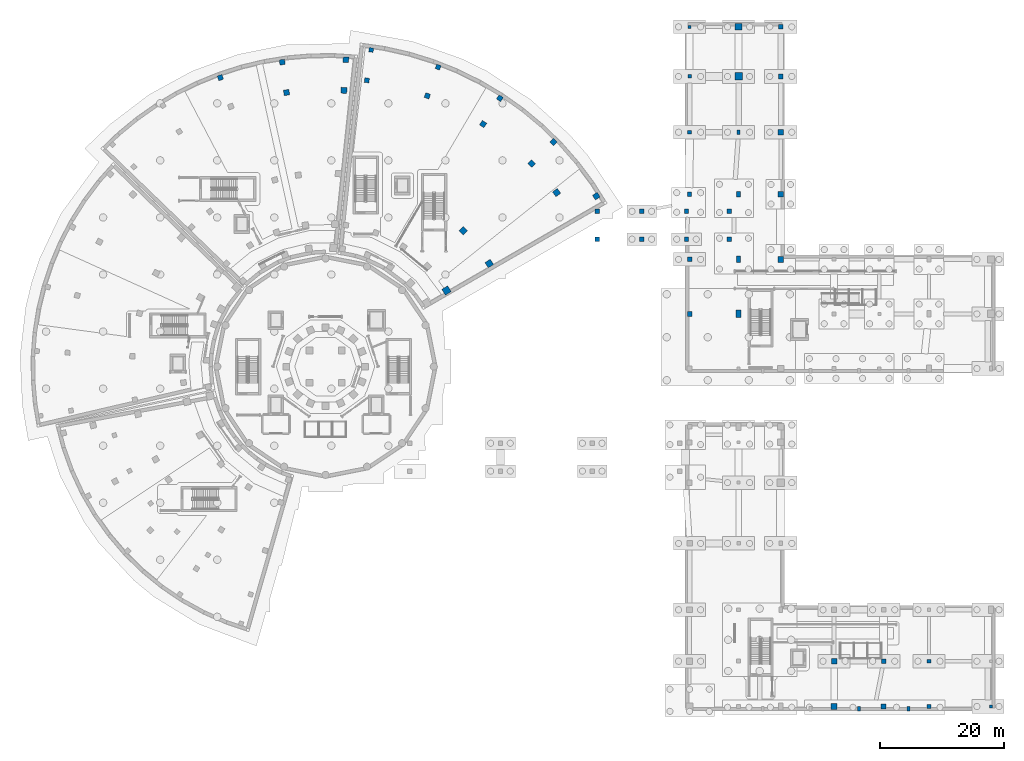
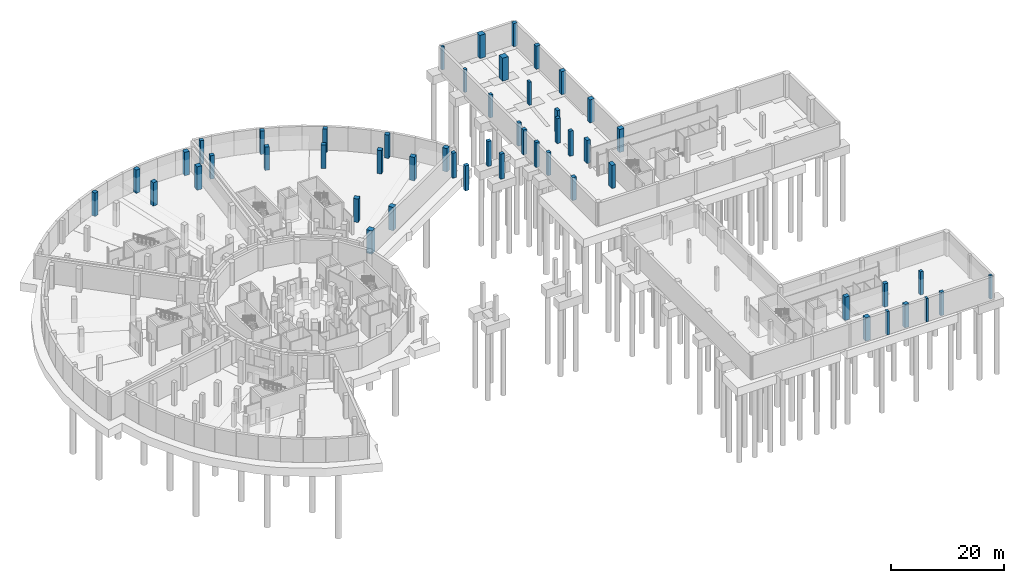
# One storey, part 5 of 33: 52 columns.
"""IFC4 building model written with IfcOpenShell, lengths in metres."""

from ifc_helpers import new_model, si_unit, direction, frame, origin, origin_2d, place, context, subcontext, project, spatial, rectangle, extrude, material, material_profile, profile_set, type_object, element, save


model = new_model("IFC4")

# Units and contexts
model_context = context("Model", 3, precision=1e-05, world=origin(), true_north=direction((0.0, 1.0)))
body_context = subcontext(model_context, "Body", "Model", "MODEL_VIEW")
ifc_project = project(units=[si_unit("LENGTHUNIT", "METRE"), si_unit("AREAUNIT", "SQUARE_METRE"), si_unit("VOLUMEUNIT", "CUBIC_METRE"), si_unit("PLANEANGLEUNIT", "RADIAN"), si_unit("MASSUNIT", "GRAM", prefix="KILO")], contexts=[model_context])

# Site, building, storey
site_placement = place(None, origin())
site = spatial("IfcSite", under=ifc_project, at=site_placement, CompositionType="ELEMENT")
building_placement = place(site_placement, origin())
building = spatial("IfcBuilding", under=site, at=building_placement, Name="Soyqirgoq Riverine Aquarium", CompositionType="ELEMENT")
storey_placement = place(building_placement, frame((0.0, 0.0, -5.39990234375)))
storey = spatial("IfcBuildingStorey", under=building, at=storey_placement, Name="B01", CompositionType="ELEMENT", Elevation=-5.39990234375)

# Columns
ifc_material_1 = material(Name="Concrete C40/50", Category="concrete")
ifc_material_profile_1 = material_profile(ifc_material_1, rectangle(XDim=1.0, YDim=1.0, at=origin_2d()), Name="RC 1000x1000")
ifc_profile_set_1 = profile_set([ifc_material_profile_1], Name="Concrete C40/50")
column_type_1 = type_object("IfcColumnType", Name="Col_RC_1000x1000", PredefinedType="COLUMN", material=ifc_profile_set_1)
column_1_placement = place(storey_placement, frame((82.401123046875, 73.625732421875, 0.0), z_axis=(0.0, 0.0, 1.0), x_axis=(0.846193166128, 0.532876276071, 0.0)))
element("IfcColumn", 1, at=column_1_placement, inside=storey, type_object=column_type_1, Name="V5 Column V5-CR3-01 B01", PredefinedType="COLUMN", context=body_context, shape_type="SweptSolid", body=[
    extrude(rectangle(XDim=1.0, YDim=1.0, at=origin_2d()), origin(), (0.0, 0.0, 1.0), 5.0498046875),
])
ifc_material_2 = material(Name="Waterproof concrete C45/55", Category="concrete")
ifc_material_profile_2 = material_profile(ifc_material_2, rectangle(XDim=1.10009765625, YDim=1.10009765625, at=origin_2d()), Name="RC 1100x1100")
ifc_profile_set_2 = profile_set([ifc_material_profile_2], Name="Waterproof concrete C45/55")
column_type_2 = type_object("IfcColumnType", Name="Col_RC_1100x1100", PredefinedType="COLUMN", material=ifc_profile_set_2)
column_2_placement = place(storey_placement, frame((75.5048828125, 69.28271484375, 0.0), z_axis=(0.0, 0.0, 1.0), x_axis=(0.846193166128, 0.532876276071, 0.0)))
element("IfcColumn", 2, at=column_2_placement, inside=storey, type_object=column_type_2, Name="V5 Column V5-CR2-01 B01", PredefinedType="COLUMN", context=body_context, shape_type="SweptSolid", body=[
    extrude(rectangle(XDim=1.10009765625, YDim=1.10009765625, at=origin_2d()), origin(), (0.0, 0.0, 1.0), 5.0498046875),
])
column_3_placement = place(storey_placement, frame((122.60009765625, 111.800048828125, 0.0), z_axis=(0.0, 0.0, 1.0), x_axis=(1.0, 0.0, 0.0)))
element("IfcColumn", 3, at=column_3_placement, inside=storey, type_object=column_type_2, Name="V7 Column V7-C-14 B01", PredefinedType="COLUMN", context=body_context, shape_type="SweptSolid", body=[
    extrude(rectangle(XDim=1.10009765625, YDim=1.10009765625, at=origin_2d()), origin(), (0.0, 0.0, 1.0), 4.97998046875),
])
ifc_material_3 = material(Name="Waterproof concrete C45/55", Category="concrete")
ifc_material_profile_3 = material_profile(ifc_material_3, rectangle(XDim=1.199951171875, YDim=1.199951171875, at=origin_2d()), Name="RC 1200x1200")
ifc_profile_set_3 = profile_set([ifc_material_profile_3], Name="Waterproof concrete C45/55")
column_type_3 = type_object("IfcColumnType", Name="Col_RC_1200x1200", PredefinedType="COLUMN", material=ifc_profile_set_3)
column_4_placement = place(storey_placement, frame((122.60009765625, 103.800048828125, 0.0), z_axis=(0.0, 0.0, 1.0), x_axis=(1.0, 0.0, 0.0)))
element("IfcColumn", 4, at=column_4_placement, inside=storey, type_object=column_type_3, Name="V7 Column V7-C-13 B01", PredefinedType="COLUMN", context=body_context, shape_type="SweptSolid", body=[
    extrude(rectangle(XDim=1.199951171875, YDim=1.199951171875, at=origin_2d()), origin(), (0.0, 0.0, 1.0), 4.97998046875),
])
ifc_material_4 = material(Name="Concrete C40/50", Category="concrete")
ifc_material_profile_4 = material_profile(ifc_material_4, rectangle(XDim=0.5, YDim=0.5, at=origin_2d()), Name="RC 500x500")
ifc_profile_set_4 = profile_set([ifc_material_profile_4], Name="Concrete C40/50")
column_type_4 = type_object("IfcColumnType", Name="Col_RC_500x500", PredefinedType="COLUMN", material=ifc_profile_set_4)
column_5_placement = place(storey_placement, frame((163.300048828125, 2.199951171875, 0.0), z_axis=(0.0, 0.0, 1.0), x_axis=(1.0, 0.0, 0.0)))
element("IfcColumn", 5, at=column_5_placement, inside=storey, type_object=column_type_4, Name="V6 Column V6-C-30 B01", PredefinedType="COLUMN", context=body_context, shape_type="SweptSolid", body=[
    extrude(rectangle(XDim=0.5, YDim=0.5, at=origin_2d()), origin(), (0.0, 0.0, 1.0), 5.0498046875),
])
column_6_placement = place(storey_placement, frame((114.699951171875, 111.800048828125, 0.0), z_axis=(0.0, 0.0, 1.0), x_axis=(1.0, 0.0, 0.0)))
element("IfcColumn", 6, at=column_6_placement, inside=storey, type_object=column_type_4, Name="V7 Column V7-C-07 B01", PredefinedType="COLUMN", context=body_context, shape_type="SweptSolid", body=[
    extrude(rectangle(XDim=0.5, YDim=0.5, at=origin_2d()), origin(), (0.0, 0.0, 1.0), 4.97998046875),
])
ifc_material_5 = material(Name="Concrete C40/50", Category="concrete")
ifc_material_profile_5 = material_profile(ifc_material_5, rectangle(XDim=0.5, YDim=0.75, at=origin_2d()), Name="RC-COL 500x750")
ifc_profile_set_5 = profile_set([ifc_material_profile_5], Name="Concrete C40/50")
column_type_5 = type_object("IfcColumnType", Name="Col_RC_500x750", PredefinedType="COLUMN", material=ifc_profile_set_5)
column_7_placement = place(storey_placement, frame((122.60009765625, 94.800048828125, 0.0), z_axis=(0.0, 0.0, 1.0), x_axis=(1.0, 0.0, 0.0)))
element("IfcColumn", 7, at=column_7_placement, inside=storey, type_object=column_type_5, Name="V7 Column V7-C-12 B01", PredefinedType="COLUMN", context=body_context, shape_type="SweptSolid", body=[
    extrude(rectangle(XDim=0.5, YDim=0.75, at=origin_2d()), origin(), (0.0, 0.0, 1.0), 4.97998046875),
])
ifc_material_6 = material(Name="Concrete C40/50", Category="concrete")
ifc_material_profile_6 = material_profile(ifc_material_6, rectangle(XDim=0.550048828125, YDim=0.550048828125, at=origin_2d()), Name="RC 550x550")
ifc_profile_set_6 = profile_set([ifc_material_profile_6], Name="Concrete C40/50")
column_type_6 = type_object("IfcColumnType", Name="Col_RC_550x550", PredefinedType="COLUMN", material=ifc_profile_set_6)
column_8_placement = place(storey_placement, frame((114.699951171875, 103.800048828125, 0.0), z_axis=(0.0, 0.0, 1.0), x_axis=(1.0, 0.0, 0.0)))
element("IfcColumn", 8, at=column_8_placement, inside=storey, type_object=column_type_6, Name="V7 Column V7-C-06 B01", PredefinedType="COLUMN", context=body_context, shape_type="SweptSolid", body=[
    extrude(rectangle(XDim=0.550048828125, YDim=0.550048828125, at=origin_2d()), origin(), (0.0, 0.0, 1.0), 4.97998046875),
])
ifc_material_7 = material(Name="Concrete C40/50", Category="concrete")
ifc_material_profile_7 = material_profile(ifc_material_7, rectangle(XDim=0.60009765625, YDim=0.60009765625, at=origin_2d()), Name="RC 600x600")
ifc_profile_set_7 = profile_set([ifc_material_profile_7], Name="Concrete C40/50")
column_type_7 = type_object("IfcColumnType", Name="Col_RC_600x600", PredefinedType="COLUMN", material=ifc_profile_set_7)
column_9_placement = place(storey_placement, frame((153.300048828125, 9.5, 0.0), z_axis=(0.0, 0.0, 1.0), x_axis=(1.0, 0.0, 0.0)))
element("IfcColumn", 9, at=column_9_placement, inside=storey, type_object=column_type_7, Name="V6 Column V6-C-28 B01", PredefinedType="COLUMN", context=body_context, shape_type="SweptSolid", body=[
    extrude(rectangle(XDim=0.60009765625, YDim=0.60009765625, at=origin_2d()), origin(), (0.0, 0.0, 1.0), 5.0498046875),
])
column_10_placement = place(storey_placement, frame((114.699951171875, 94.800048828125, 0.0), z_axis=(0.0, 0.0, 1.0), x_axis=(1.0, 0.0, 0.0)))
element("IfcColumn", 10, at=column_10_placement, inside=storey, type_object=column_type_7, Name="V7 Column V7-C-05 B01", PredefinedType="COLUMN", context=body_context, shape_type="SweptSolid", body=[
    extrude(rectangle(XDim=0.60009765625, YDim=0.60009765625, at=origin_2d()), origin(), (0.0, 0.0, 1.0), 4.97998046875),
])
ifc_material_8 = material(Name="Concrete C40/50", Category="concrete")
ifc_material_profile_8 = material_profile(ifc_material_8, rectangle(XDim=0.60009765625, YDim=0.89990234375, at=origin_2d()), Name="RC-COL 600x900")
ifc_profile_set_8 = profile_set([ifc_material_profile_8], Name="Concrete C40/50")
column_type_8 = type_object("IfcColumnType", Name="Col_RC_600x900", PredefinedType="COLUMN", material=ifc_profile_set_8)
column_11_placement = place(storey_placement, frame((122.60009765625, 84.800048828125, 0.0), z_axis=(0.0, 0.0, 1.0), x_axis=(1.0, 0.0, 0.0)))
element("IfcColumn", 11, at=column_11_placement, inside=storey, type_object=column_type_8, Name="V7 Column V7-C-11 B01", PredefinedType="COLUMN", context=body_context, shape_type="SweptSolid", body=[
    extrude(rectangle(XDim=0.60009765625, YDim=0.89990234375, at=origin_2d()), origin(), (0.0, 0.0, 1.0), 4.97998046875),
])
ifc_material_9 = material(Name="Concrete C40/50", Category="concrete")
ifc_material_profile_9 = material_profile(ifc_material_9, rectangle(XDim=0.64990234375, YDim=0.64990234375, at=origin_2d()), Name="RC 650x650")
ifc_profile_set_9 = profile_set([ifc_material_profile_9], Name="Concrete C40/50")
column_type_9 = type_object("IfcColumnType", Name="Col_RC_650x650", PredefinedType="COLUMN", material=ifc_profile_set_9)
column_12_placement = place(storey_placement, frame((153.300048828125, 2.199951171875, 0.0), z_axis=(0.0, 0.0, 1.0), x_axis=(1.0, 0.0, 0.0)))
element("IfcColumn", 12, at=column_12_placement, inside=storey, type_object=column_type_9, Name="V6 Column V6-C-27 B01", PredefinedType="COLUMN", context=body_context, shape_type="SweptSolid", body=[
    extrude(rectangle(XDim=0.64990234375, YDim=0.64990234375, at=origin_2d()), origin(), (0.0, 0.0, 1.0), 5.0498046875),
])
column_13_placement = place(storey_placement, frame((114.699951171875, 84.800048828125, 0.0), z_axis=(0.0, 0.0, 1.0), x_axis=(1.0, 0.0, 0.0)))
element("IfcColumn", 13, at=column_13_placement, inside=storey, type_object=column_type_9, Name="V7 Column V7-C-04 B01", PredefinedType="COLUMN", context=body_context, shape_type="SweptSolid", body=[
    extrude(rectangle(XDim=0.64990234375, YDim=0.64990234375, at=origin_2d()), origin(), (0.0, 0.0, 1.0), 4.97998046875),
])
ifc_material_10 = material(Name="Concrete C40/50", Category="concrete")
ifc_material_profile_10 = material_profile(ifc_material_10, rectangle(XDim=0.699951171875, YDim=1.050048828125, at=origin_2d()), Name="RC-COL 700x1050")
ifc_profile_set_10 = profile_set([ifc_material_profile_10], Name="Concrete C40/50")
column_type_10 = type_object("IfcColumnType", Name="Col_RC_700x1050", PredefinedType="COLUMN", material=ifc_profile_set_10)
column_14_placement = place(storey_placement, frame((122.60009765625, 74.300048828125, 0.0), z_axis=(0.0, 0.0, 1.0), x_axis=(1.0, 0.0, 0.0)))
element("IfcColumn", 14, at=column_14_placement, inside=storey, type_object=column_type_10, Name="V7 Column V7-C-10 B01", PredefinedType="COLUMN", context=body_context, shape_type="SweptSolid", body=[
    extrude(rectangle(XDim=0.699951171875, YDim=1.050048828125, at=origin_2d()), origin(), (0.0, 0.0, 1.0), 4.97998046875),
])
ifc_material_11 = material(Name="Concrete C40/50", Category="concrete")
ifc_material_profile_11 = material_profile(ifc_material_11, rectangle(XDim=0.699951171875, YDim=0.699951171875, at=origin_2d()), Name="RC 700x700")
ifc_profile_set_11 = profile_set([ifc_material_profile_11], Name="Concrete C40/50")
column_type_11 = type_object("IfcColumnType", Name="Col_RC_700x700", PredefinedType="COLUMN", material=ifc_profile_set_11)
column_15_placement = place(storey_placement, frame((63.359619140625, 108.072509765625, 0.0), z_axis=(0.0, 0.0, 1.0), x_axis=(0.142628933706, 0.989776230908, 0.0)))
element("IfcColumn", 15, at=column_15_placement, inside=storey, type_object=column_type_11, Name="V5 Column V5-CR5-05 B01", PredefinedType="COLUMN", context=body_context, shape_type="SweptSolid", body=[
    extrude(rectangle(XDim=0.699951171875, YDim=0.699951171875, at=origin_2d()), origin(), (0.0, 0.0, 1.0), 5.0498046875),
])
column_16_placement = place(storey_placement, frame((114.699951171875, 74.300048828125, 0.0), z_axis=(0.0, 0.0, 1.0), x_axis=(1.0, 0.0, 0.0)))
element("IfcColumn", 16, at=column_16_placement, inside=storey, type_object=column_type_11, Name="V7 Column V7-C-03 B01", PredefinedType="COLUMN", context=body_context, shape_type="SweptSolid", body=[
    extrude(rectangle(XDim=0.699951171875, YDim=0.699951171875, at=origin_2d()), origin(), (0.0, 0.0, 1.0), 4.97998046875),
])
for number, where, z_axis, x_axis, name in (
    (17, (99.800048828125, 77.550048828125, 0.0), (0.0, 0.0, 1.0), (1.0, 0.0, 0.0), "Bridge Pier Column BR-2-CP-99-S B01"),
    (18, (99.800048828125, 82.050048828125, 0.0), (0.0, 0.0, 1.0), (1.0, 0.0, 0.0), "Bridge Pier Column BR-2-CP-99-N B01"),
    (19, (107.0, 77.550048828125, 0.0), (0.0, 0.0, 1.0), (1.0, 0.0, 0.0), "Bridge Pier Column BR-2-CP-107-S B01"),
    (20, (107.0, 82.050048828125, 0.0), (0.0, 0.0, 1.0), (1.0, 0.0, 0.0), "Bridge Pier Column BR-2-CP-107-N B01"),
    (21, (114.199951171875, 77.550048828125, 0.0), (0.0, 0.0, 1.0), (1.0, 0.0, 0.0), "Bridge Pier Column BR-2-CP-114-S B01"),
    (22, (114.199951171875, 82.050048828125, 0.0), (0.0, 0.0, 1.0), (1.0, 0.0, 0.0), "Bridge Pier Column BR-2-CP-114-N B01"),
    (23, (121.10009765625, 77.550048828125, 0.0), (0.0, 0.0, 1.0), (1.0, 0.0, 0.0), "Bridge Pier Column BR-2-CP-121-S B01"),
    (24, (121.10009765625, 82.050048828125, 0.0), (0.0, 0.0, 1.0), (1.0, 0.0, 0.0), "Bridge Pier Column BR-2-CP-121-N B01"),
):
    element("IfcColumn", number, at=place(storey_placement, frame(where, z_axis=z_axis, x_axis=x_axis)), inside=storey, type_object=column_type_11, Name=name, PredefinedType="COLUMN", context=body_context, shape_type="SweptSolid", body=[
        extrude(rectangle(XDim=0.699951171875, YDim=0.699951171875, at=origin_2d()), origin(), (0.0, 0.0, 1.0), 5.39990234375),
    ])
ifc_material_12 = material(Name="Concrete C40/50", Category="concrete")
ifc_material_profile_12 = material_profile(ifc_material_12, rectangle(XDim=0.75, YDim=0.75, at=origin_2d()), Name="RC 750x750")
ifc_profile_set_12 = profile_set([ifc_material_profile_12], Name="Concrete C40/50")
column_type_12 = type_object("IfcColumnType", Name="Col_RC_750x750", PredefinedType="COLUMN", material=ifc_profile_set_12)
for number, where, z_axis, x_axis, name in (
    (25, (74.155029296875, 105.30078125, 0.0), (0.0, 0.0, 1.0), (0.351841648405, 0.936059535739, 0.0), "V5 Column V5-CR5-04 B01"),
    (26, (62.653564453125, 103.173095703125, 0.0), (0.0, 0.0, 1.0), (0.142628933706, 0.989776230908, 0.0), "V5 Column V5-CR4-05 B01"),
    (27, (146.0, 9.5, 0.0), (0.0, 0.0, 1.0), (1.0, 0.0, 0.0), "V6 Column V6-C-25 B01"),
):
    element("IfcColumn", number, at=place(storey_placement, frame(where, z_axis=z_axis, x_axis=x_axis)), inside=storey, type_object=column_type_12, Name=name, PredefinedType="COLUMN", context=body_context, shape_type="SweptSolid", body=[
        extrude(rectangle(XDim=0.75, YDim=0.75, at=origin_2d()), origin(), (0.0, 0.0, 1.0), 5.0498046875),
    ])
for number, where, z_axis, x_axis, name in (
    (28, (114.699951171875, 65.5, 0.0), (0.0, 0.0, 1.0), (1.0, 0.0, 0.0), "V7 Column V7-C-02 B01"),
    (29, (129.39990234375, 111.800048828125, 0.0), (0.0, 0.0, 1.0), (1.0, 0.0, 0.0), "V7 Column V7-C-20 B01"),
):
    element("IfcColumn", number, at=place(storey_placement, frame(where, z_axis=z_axis, x_axis=x_axis)), inside=storey, type_object=column_type_12, Name=name, PredefinedType="COLUMN", context=body_context, shape_type="SweptSolid", body=[
        extrude(rectangle(XDim=0.75, YDim=0.75, at=origin_2d()), origin(), (0.0, 0.0, 1.0), 4.97998046875),
    ])
ifc_material_13 = material(Name="Concrete C40/50", Category="concrete")
ifc_material_profile_13 = material_profile(ifc_material_13, rectangle(XDim=0.800048828125, YDim=1.199951171875, at=origin_2d()), Name="RC-COL 800x1200")
ifc_profile_set_13 = profile_set([ifc_material_profile_13], Name="Concrete C40/50")
column_type_13 = type_object("IfcColumnType", Name="Col_RC_800x1200", PredefinedType="COLUMN", material=ifc_profile_set_13)
column_17_placement = place(storey_placement, frame((122.60009765625, 65.5, 0.0), z_axis=(0.0, 0.0, 1.0), x_axis=(1.0, 0.0, 0.0)))
element("IfcColumn", 30, at=column_17_placement, inside=storey, type_object=column_type_13, Name="V7 Column V7-C-09 B01", PredefinedType="COLUMN", context=body_context, shape_type="SweptSolid", body=[
    extrude(rectangle(XDim=0.800048828125, YDim=1.199951171875, at=origin_2d()), origin(), (0.0, 0.0, 1.0), 4.97998046875),
])
ifc_material_14 = material(Name="Concrete C40/50", Category="concrete")
ifc_material_profile_14 = material_profile(ifc_material_14, rectangle(XDim=0.800048828125, YDim=0.800048828125, at=origin_2d()), Name="RC 800x800")
ifc_profile_set_14 = profile_set([ifc_material_profile_14], Name="Concrete C40/50")
column_type_14 = type_object("IfcColumnType", Name="Col_RC_800x800", PredefinedType="COLUMN", material=ifc_profile_set_14)
for number, where, z_axis, x_axis, name in (
    (31, (39.035888671875, 103.60888671875, 0.0), (0.0, 0.0, 1.0), (-0.342020143326, 0.939692620786, 0.0), "V4 Column V4-CR5-03 B01"),
    (32, (84.103515625, 100.275390625, 0.0), (0.0, 0.0, 1.0), (0.544639035015, 0.838670567945, 0.0), "V5 Column V5-CR5-03 B01"),
    (33, (72.413330078125, 100.667236328125, 0.0), (0.0, 0.0, 1.0), (0.351841648405, 0.936059535739, 0.0), "V5 Column V5-CR4-04 B01"),
    (34, (146.0, 2.199951171875, 0.0), (0.0, 0.0, 1.0), (1.0, 0.0, 0.0), "V6 Column V6-C-24 B01"),
):
    element("IfcColumn", number, at=place(storey_placement, frame(where, z_axis=z_axis, x_axis=x_axis)), inside=storey, type_object=column_type_14, Name=name, PredefinedType="COLUMN", context=body_context, shape_type="SweptSolid", body=[
        extrude(rectangle(XDim=0.800048828125, YDim=0.800048828125, at=origin_2d()), origin(), (0.0, 0.0, 1.0), 5.0498046875),
    ])
column_18_placement = place(storey_placement, frame((129.39990234375, 103.800048828125, 0.0), z_axis=(0.0, 0.0, 1.0), x_axis=(1.0, 0.0, 0.0)))
element("IfcColumn", 35, at=column_18_placement, inside=storey, type_object=column_type_14, Name="V7 Column V7-C-19 B01", PredefinedType="COLUMN", context=body_context, shape_type="SweptSolid", body=[
    extrude(rectangle(XDim=0.800048828125, YDim=0.800048828125, at=origin_2d()), origin(), (0.0, 0.0, 1.0), 4.97998046875),
])
ifc_material_15 = material(Name="Concrete C40/50", Category="concrete")
ifc_material_profile_15 = material_profile(ifc_material_15, rectangle(XDim=0.85009765625, YDim=0.85009765625, at=origin_2d()), Name="RC 850x850")
ifc_profile_set_15 = profile_set([ifc_material_profile_15], Name="Concrete C40/50")
column_type_15 = type_object("IfcColumnType", Name="Col_RC_850x850", PredefinedType="COLUMN", material=ifc_profile_set_15)
for number, where, z_axis, x_axis, name in (
    (36, (49.01123046875, 106.105224609375, 0.0), (0.0, 0.0, 1.0), (-0.140901231938, 0.990023657717, 0.0), "V4 Column V4-CR5-02 B01"),
    (37, (92.740478515625, 93.231201171875, 0.0), (0.0, 0.0, 1.0), (0.712026045991, 0.702153052995, 0.0), "V5 Column V5-CR5-02 B01"),
    (38, (81.407470703125, 96.1240234375, 0.0), (0.0, 0.0, 1.0), (0.544639035015, 0.838670567945, 0.0), "V5 Column V5-CR4-03 B01"),
):
    element("IfcColumn", number, at=place(storey_placement, frame(where, z_axis=z_axis, x_axis=x_axis)), inside=storey, type_object=column_type_15, Name=name, PredefinedType="COLUMN", context=body_context, shape_type="SweptSolid", body=[
        extrude(rectangle(XDim=0.85009765625, YDim=0.85009765625, at=origin_2d()), origin(), (0.0, 0.0, 1.0), 5.0498046875),
    ])
column_19_placement = place(storey_placement, frame((129.39990234375, 94.800048828125, 0.0), z_axis=(0.0, 0.0, 1.0), x_axis=(1.0, 0.0, 0.0)))
element("IfcColumn", 39, at=column_19_placement, inside=storey, type_object=column_type_15, Name="V7 Column V7-C-18 B01", PredefinedType="COLUMN", context=body_context, shape_type="SweptSolid", body=[
    extrude(rectangle(XDim=0.85009765625, YDim=0.85009765625, at=origin_2d()), origin(), (0.0, 0.0, 1.0), 4.97998046875),
])
ifc_material_16 = material(Name="Concrete C40/50", Category="concrete")
ifc_material_profile_16 = material_profile(ifc_material_16, rectangle(XDim=0.89990234375, YDim=0.89990234375, at=origin_2d()), Name="RC 900x900")
ifc_profile_set_16 = profile_set([ifc_material_profile_16], Name="Concrete C40/50")
column_type_16 = type_object("IfcColumnType", Name="Col_RC_900x900", PredefinedType="COLUMN", material=ifc_profile_set_16)
for number, where, z_axis, x_axis, name in (
    (40, (59.287109375, 106.490966796875, 0.0), (0.0, 0.0, 1.0), (0.0662739004, 0.997801468292, 0.0), "V4 Column V4-CR5-01 B01"),
    (41, (49.708740234375, 101.20458984375, 0.0), (0.0, 0.0, 1.0), (-0.140901231938, 0.990023657717, 0.0), "V4 Column V4-CR4-02 B01"),
    (42, (99.66357421875, 84.496337890625, 0.0), (0.0, 0.0, 1.0), (0.846193166128, 0.532876276071, 0.0), "V5 Column V5-CR5-01 B01"),
    (43, (89.216064453125, 89.75537109375, 0.0), (0.0, 0.0, 1.0), (0.712026045991, 0.702153052995, 0.0), "V5 Column V5-CR4-02 B01"),
    (44, (138.0, 9.5, 0.0), (0.0, 0.0, 1.0), (1.0, 0.0, 0.0), "V6 Column V6-C-22 B01"),
):
    element("IfcColumn", number, at=place(storey_placement, frame(where, z_axis=z_axis, x_axis=x_axis)), inside=storey, type_object=column_type_16, Name=name, PredefinedType="COLUMN", context=body_context, shape_type="SweptSolid", body=[
        extrude(rectangle(XDim=0.89990234375, YDim=0.89990234375, at=origin_2d()), origin(), (0.0, 0.0, 1.0), 5.0498046875),
    ])
column_20_placement = place(storey_placement, frame((129.39990234375, 84.800048828125, 0.0), z_axis=(0.0, 0.0, 1.0), x_axis=(1.0, 0.0, 0.0)))
element("IfcColumn", 45, at=column_20_placement, inside=storey, type_object=column_type_16, Name="V7 Column V7-C-17 B01", PredefinedType="COLUMN", context=body_context, shape_type="SweptSolid", body=[
    extrude(rectangle(XDim=0.89990234375, YDim=0.89990234375, at=origin_2d()), origin(), (0.0, 0.0, 1.0), 4.97998046875),
])
ifc_material_17 = material(Name="Concrete C40/50", Category="concrete")
ifc_material_profile_17 = material_profile(ifc_material_17, rectangle(XDim=0.949951171875, YDim=0.949951171875, at=origin_2d()), Name="RC 950x950")
ifc_profile_set_17 = profile_set([ifc_material_profile_17], Name="Concrete C40/50")
column_type_17 = type_object("IfcColumnType", Name="Col_RC_950x950", PredefinedType="COLUMN", material=ifc_profile_set_17)
for number, where, z_axis, x_axis, name in (
    (46, (58.958984375, 101.5517578125, 0.0), (0.0, 0.0, 1.0), (0.0662739004, 0.997801468292, 0.0), "V4 Column V4-CR4-01 B01"),
    (47, (93.25634765625, 85.07470703125, 0.0), (0.0, 0.0, 1.0), (0.798635510047, 0.601815023152, 0.0), "V5 Column V5-CR4-01 B01"),
    (48, (78.215087890625, 78.9072265625, 0.0), (0.0, 0.0, 1.0), (0.712026045991, 0.702153052995, 0.0), "V5 Column V5-CR3-02 B01"),
    (49, (138.0, 2.199951171875, 0.0), (0.0, 0.0, 1.0), (1.0, 0.0, 0.0), "V6 Column V6-C-21 B01"),
):
    element("IfcColumn", number, at=place(storey_placement, frame(where, z_axis=z_axis, x_axis=x_axis)), inside=storey, type_object=column_type_17, Name=name, PredefinedType="COLUMN", context=body_context, shape_type="SweptSolid", body=[
        extrude(rectangle(XDim=0.949951171875, YDim=0.949951171875, at=origin_2d()), origin(), (0.0, 0.0, 1.0), 5.0498046875),
    ])
column_21_placement = place(storey_placement, frame((129.39990234375, 74.300048828125, 0.0), z_axis=(0.0, 0.0, 1.0), x_axis=(1.0, 0.0, 0.0)))
element("IfcColumn", 50, at=column_21_placement, inside=storey, type_object=column_type_17, Name="V7 Column V7-C-16 B01", PredefinedType="COLUMN", context=body_context, shape_type="SweptSolid", body=[
    extrude(rectangle(XDim=0.949951171875, YDim=0.949951171875, at=origin_2d()), origin(), (0.0, 0.0, 1.0), 4.97998046875),
])
ifc_material_18 = material(Name="Concrete C40/50", Category="concrete")
ifc_material_profile_18 = material_profile(ifc_material_18, rectangle(XDim=0.449951171875, YDim=0.699951171875, at=origin_2d()), Name="RC-PIL 450x700")
ifc_profile_set_18 = profile_set([ifc_material_profile_18], Name="Concrete C40/50")
column_type_18 = type_object("IfcColumnType", Name="Pilaster_450x700", PredefinedType="PILASTER", material=ifc_profile_set_18)
for number, where, z_axis, x_axis, name in (
    (51, (142.0, 1.85009765625, 0.0), (0.0, 0.0, 1.0), (1.0, 0.0, 0.0), "V6 Facade Pilaster PIL-V6-05 B01"),
    (52, (150.0, 1.85009765625, 0.0), (0.0, 0.0, 1.0), (1.0, 0.0, 0.0), "V6 Facade Pilaster PIL-V6-07 B01"),
):
    element("IfcColumn", number, at=place(storey_placement, frame(where, z_axis=z_axis, x_axis=x_axis)), inside=storey, type_object=column_type_18, Name=name, PredefinedType="PILASTER", context=body_context, shape_type="SweptSolid", body=[
        extrude(rectangle(XDim=0.449951171875, YDim=0.699951171875, at=origin_2d()), origin(), (0.0, 0.0, 1.0), 5.0498046875),
    ])

save(model, "model.ifc")
